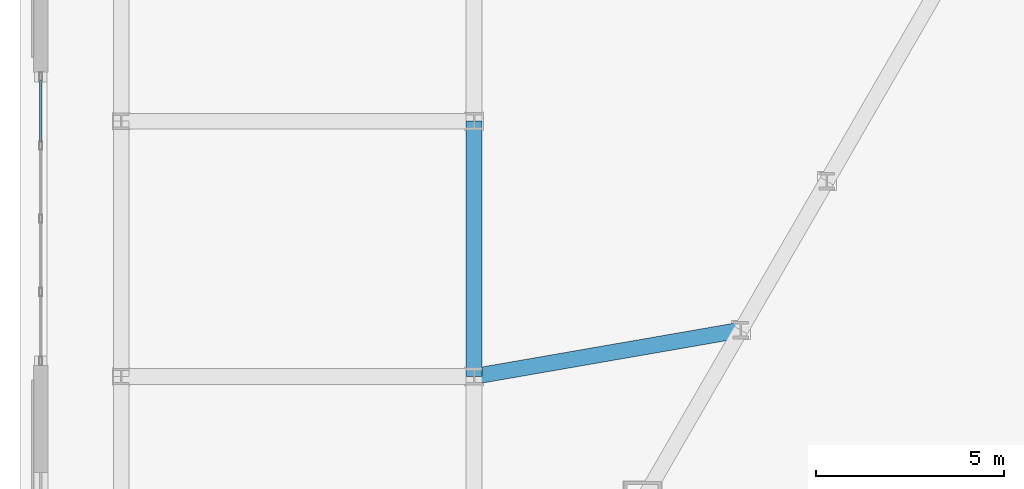
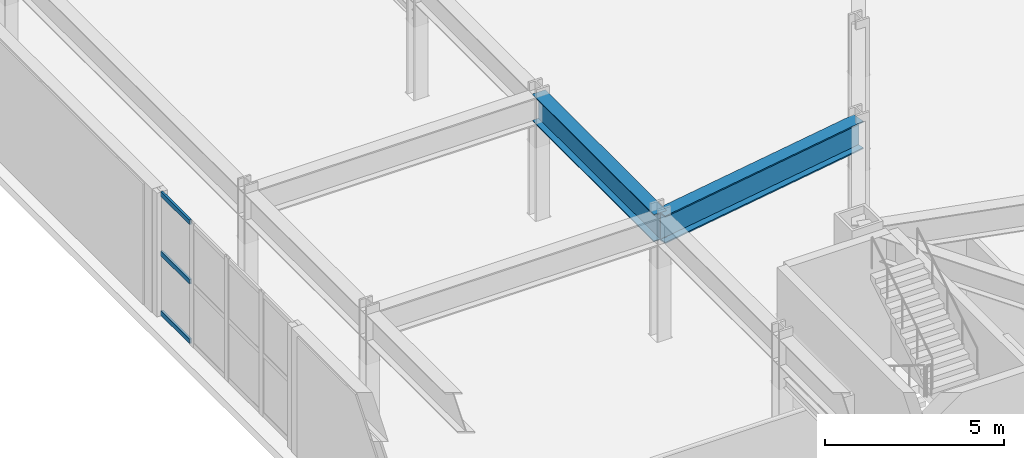
# One storey, part 5 of 21: 3 members, 2 beams, 1 element without a shape of its own.
"""IFC4 building model written with IfcOpenShell, lengths in metres."""

from ifc_helpers import new_model, si_unit, direction, frame, origin, origin_2d, place, context, subcontext, project, spatial, hollow_rectangle, i_section, extrude, material, layer, layer_set, material_profile, profile_set, type_object, element, aggregate, save


model = new_model("IFC4")

# Units and contexts
model_context = context("Model", 3, precision=1e-05, world=origin(), true_north=direction((0.0, 1.0)))
body_context = subcontext(model_context, "Body", "Model", "MODEL_VIEW")
ifc_project = project(units=[si_unit("LENGTHUNIT", "METRE"), si_unit("AREAUNIT", "SQUARE_METRE"), si_unit("VOLUMEUNIT", "CUBIC_METRE"), si_unit("PLANEANGLEUNIT", "RADIAN"), si_unit("MASSUNIT", "GRAM", prefix="KILO")], contexts=[model_context])

# Site, building, storey
site_placement = place(None, origin())
site = spatial("IfcSite", under=ifc_project, at=site_placement, CompositionType="ELEMENT")
building_placement = place(site_placement, origin())
building = spatial("IfcBuilding", under=site, at=building_placement, Name="Oramaril Tower", CompositionType="ELEMENT")
storey_placement = place(building_placement, frame((0.0, 0.0, 5.39990234375)))
storey = spatial("IfcBuildingStorey", under=building, at=storey_placement, Name="L01", CompositionType="ELEMENT", Elevation=5.39990234375)

# Beams
ifc_material_1 = material(Name="Steel ASTM A572 Gr 50", Category="steel")
ifc_material_profile_1 = material_profile(ifc_material_1, i_section(OverallWidth=0.424072265625, OverallDepth=0.947021484375, WebThickness=0.02392578125, FlangeThickness=0.042724609375, at=origin_2d()), Name="W36X302")
ifc_profile_set_1 = profile_set([ifc_material_profile_1], Name="Steel ASTM A572 Gr 50")
beam_type_1 = type_object("IfcBeamType", Name="BT-PG1", PredefinedType="BEAM", material=ifc_profile_set_1)
beam_1_placement = place(storey_placement, frame((8.60009765625, 18.60009765625, 3.74658203125), z_axis=(0.985251471122, 0.171112649011, 0.0), x_axis=(-0.171112649011, 0.985251471122, 0.0)))
element("IfcBeam", 1, at=beam_1_placement, inside=storey, type_object=beam_type_1, Name="L01 Podium Clear-Span Girder 03", PredefinedType="BEAM", context=body_context, shape_type="SweptSolid", body=[
    extrude(i_section(OverallWidth=0.424072265625, OverallDepth=0.947021484375, WebThickness=0.02392578125, FlangeThickness=0.042724609375, at=origin_2d()), origin(), (0.0, 0.0, 1.0), 7.2138671875),
])
ifc_material_2 = material(Name="Steel ASTM A572 Gr 50", Category="steel")
ifc_material_profile_2 = material_profile(ifc_material_2, i_section(OverallWidth=0.4189453125, OverallDepth=0.927001953125, WebThickness=0.019287109375, FlangeThickness=0.031982421875, at=origin_2d()), Name="W36X231")
ifc_profile_set_2 = profile_set([ifc_material_profile_2], Name="Steel ASTM A572 Gr 50")
beam_type_2 = type_object("IfcBeamType", Name="BT-PG2", PredefinedType="BEAM", material=ifc_profile_set_2)
beam_2_placement = place(storey_placement, frame((8.60009765625, 18.60009765625, 3.756591796875), z_axis=(0.0, 1.0, 0.0), x_axis=(-1.0, 0.0, 0.0)))
element("IfcBeam", 2, at=beam_2_placement, inside=storey, type_object=beam_type_2, Name="L01 Podium Perimeter Girder 03", PredefinedType="BEAM", context=body_context, shape_type="SweptSolid", body=[
    extrude(i_section(OverallWidth=0.4189453125, OverallDepth=0.927001953125, WebThickness=0.019287109375, FlangeThickness=0.031982421875, at=origin_2d()), origin(), (0.0, 0.0, 1.0), 6.7998046875),
])

# Curtain wall, members
ifc_material_3 = material(Name="Anodised Aluminium 6063-T6", Category="aluminium")
ifc_layer = layer(ifc_material_3, 0.219970703125)
ifc_layer_set = layer_set([ifc_layer], Name="CWT-SYS1")
curtain_wall_type = type_object("IfcCurtainWallType", Name="CWT-SYS1", PredefinedType="NOTDEFINED", material=ifc_layer_set)
curtain_wall_placement = place(storey_placement, origin())
curtain_wall = element("IfcCurtainWall", 3, at=curtain_wall_placement, inside=storey, type_object=curtain_wall_type, Name="L01 Unitised Curtain Wall CW-1", PredefinedType="NOTDEFINED")
ifc_material_4 = material(Name="Anodised Aluminium 6063-T6", Category="aluminium")
ifc_material_profile_3 = material_profile(ifc_material_4, hollow_rectangle(XDim=0.070068359375, YDim=0.159912109375, WallThickness=0.00390625, at=origin_2d()), Name="CWT160X70")
ifc_profile_set_3 = profile_set([ifc_material_profile_3], Name="Anodised Aluminium 6063-T6")
member_type = type_object("IfcMemberType", Name="MT-CWT1", PredefinedType="USERDEFINED", material=ifc_profile_set_3)
member_1_placement = place(storey_placement, frame((-2.949951171875, 26.47998046875, 0.080078125), z_axis=(0.0, -1.0, 0.0), x_axis=(1.0, 0.0, 0.0)))
member_1 = element("IfcMember", 4, at=member_1_placement, type_object=member_type, Name="CW-1 transom 1.1", ObjectType="TRANSOM", PredefinedType="USERDEFINED", context=body_context, shape_type="SweptSolid", body=[
    extrude(hollow_rectangle(XDim=0.070068359375, YDim=0.159912109375, WallThickness=0.00390625, at=origin_2d()), origin(), (0.0, 0.0, 1.0), 1.619873046875),
])
member_2_placement = place(storey_placement, frame((-2.949951171875, 26.47998046875, 2.110107421875), z_axis=(0.0, -1.0, 0.0), x_axis=(1.0, 0.0, 0.0)))
member_2 = element("IfcMember", 5, at=member_2_placement, type_object=member_type, Name="CW-1 transom 1.2", ObjectType="TRANSOM", PredefinedType="USERDEFINED", context=body_context, shape_type="SweptSolid", body=[
    extrude(hollow_rectangle(XDim=0.070068359375, YDim=0.159912109375, WallThickness=0.00390625, at=origin_2d()), origin(), (0.0, 0.0, 1.0), 1.619873046875),
])
member_3_placement = place(storey_placement, frame((-2.949951171875, 26.47998046875, 4.14013671875), z_axis=(0.0, -1.0, 0.0), x_axis=(1.0, 0.0, 0.0)))
member_3 = element("IfcMember", 6, at=member_3_placement, type_object=member_type, Name="CW-1 transom 1.3", ObjectType="TRANSOM", PredefinedType="USERDEFINED", context=body_context, shape_type="SweptSolid", body=[
    extrude(hollow_rectangle(XDim=0.070068359375, YDim=0.159912109375, WallThickness=0.00390625, at=origin_2d()), origin(), (0.0, 0.0, 1.0), 1.619873046875),
])
aggregate(curtain_wall, [member_1, member_2, member_3])

save(model, "model.ifc")
